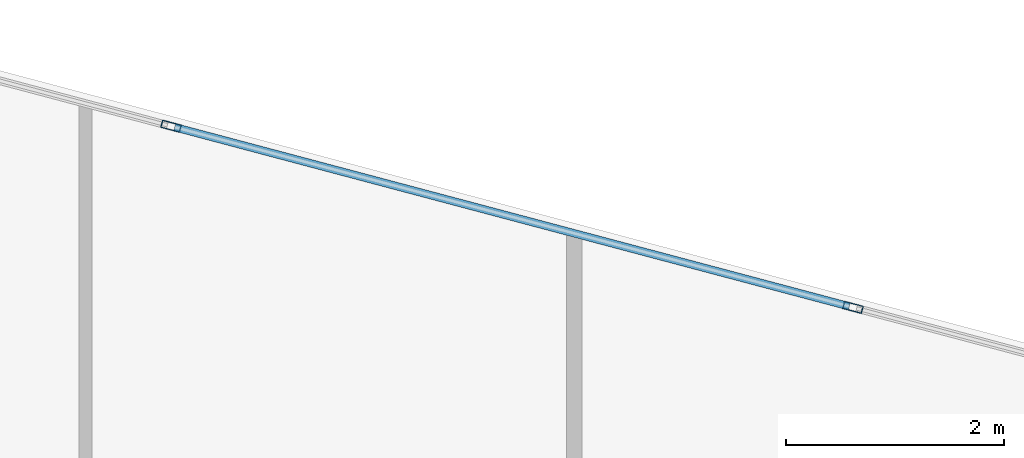
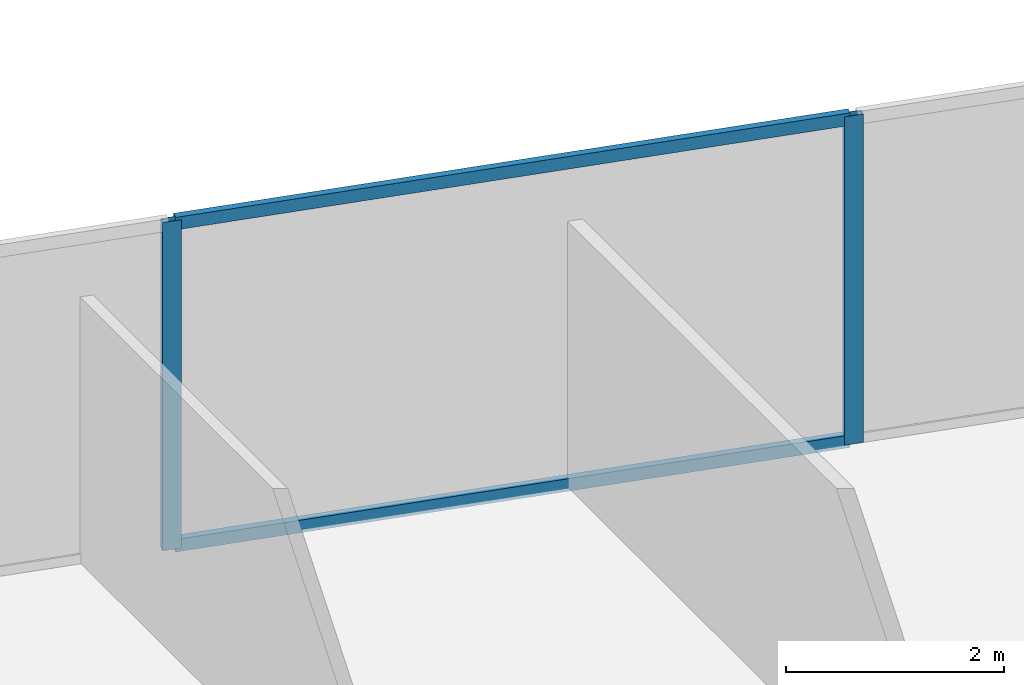
# One storey, part 21 of 27: 4 members, 1 element without a shape of its own.
"""IFC4 building model written with IfcOpenShell, lengths in metres."""

from ifc_helpers import new_model, si_unit, direction, frame, origin, origin_2d, place, context, subcontext, project, spatial, hollow_rectangle, extrude, source, transform, mapped, material, material_profile, profile_set, type_object, type_shapes, element, aggregate, save


model = new_model("IFC4")

# Units and contexts
model_context = context("Model", 3, precision=1e-05, world=origin(), true_north=direction((0.0, 1.0)))
body_context = subcontext(model_context, "Body", "Model", "MODEL_VIEW")
ifc_project = project(units=[si_unit("LENGTHUNIT", "METRE"), si_unit("AREAUNIT", "SQUARE_METRE"), si_unit("VOLUMEUNIT", "CUBIC_METRE"), si_unit("PLANEANGLEUNIT", "RADIAN"), si_unit("MASSUNIT", "GRAM", prefix="KILO")], contexts=[model_context])

# Site, building, storey
site_placement = place(None, origin())
site = spatial("IfcSite", under=ifc_project, at=site_placement, CompositionType="ELEMENT")
building_placement = place(site_placement, origin())
building = spatial("IfcBuilding", under=site, at=building_placement, Name="Krantzveldt Concourse Tower", CompositionType="ELEMENT")
storey_placement = place(building_placement, frame((0.0, 0.0, 97.949951171875)))
storey = spatial("IfcBuildingStorey", under=building, at=storey_placement, Name="L23", CompositionType="ELEMENT", Elevation=97.949951171875)

# Curtain wall, members
ifc_material = material(Name="Anodised aluminium 6063-T6", Category="aluminium")
curtain_wall_type = type_object("IfcCurtainWallType", Name="CW2", PredefinedType="USERDEFINED", material=ifc_material)
curtain_wall_placement = place(storey_placement, origin())
curtain_wall = element("IfcCurtainWall", 1, at=curtain_wall_placement, inside=storey, type_object=curtain_wall_type, Name="CW-L23-F14", ObjectType="UNITISED CURTAIN WALL", PredefinedType="USERDEFINED")
ifc_material_profile_1 = material_profile(ifc_material, hollow_rectangle(XDim=0.070068359375, YDim=0.179931640625, WallThickness=0.0048828125, at=origin_2d()), Name="Anodised aluminium 6063-T6", Category="aluminium")
ifc_profile_set_1 = profile_set([ifc_material_profile_1], Name="Anodised aluminium 6063-T6 - ALU-MULL 180x70x5")
member_type_1 = type_object("IfcMemberType", Name="CW-MUL-180", PredefinedType="MULLION", material=ifc_profile_set_1)
shared_shape_1 = source(origin(), body_context, "Body", "SweptSolid", [
    extrude(hollow_rectangle(XDim=0.070068359375, YDim=0.179931640625, WallThickness=0.0048828125, at=origin_2d()), origin(), (0.0, 0.0, 1.0), 3.670166015625),
])
type_shapes(member_type_1, [shared_shape_1])
member_1_placement = place(storey_placement, frame((48.23388671875, 47.56884765625, 0.0), z_axis=(0.0, 0.0, 1.0), x_axis=(-0.256711093648, -0.966488186373, 0.0)))
member_1 = element("IfcMember", 2, at=member_1_placement, type_object=member_type_1, Name="CW-Z12 mullion 3", PredefinedType="MULLION", context=body_context, shape_type="MappedRepresentation", body=[
    mapped(shared_shape_1, transform((0.0, 0.0, 0.0), x_axis=(1.0, 0.0, 0.0), y_axis=(0.0, 1.0, 0.0), z_axis=(0.0, 0.0, 1.0), scale=1.0)),
])
member_2_placement = place(storey_placement, frame((41.98388671875, 49.228759765625, 0.0), z_axis=(0.0, 0.0, 1.0), x_axis=(-0.256711093648, -0.966488186373, 0.0)))
member_2 = element("IfcMember", 3, at=member_2_placement, type_object=member_type_1, Name="CW-Z12 mullion 4", PredefinedType="MULLION", context=body_context, shape_type="MappedRepresentation", body=[
    mapped(shared_shape_1, transform((0.0, 0.0, 0.0), x_axis=(1.0, 0.0, 0.0), y_axis=(0.0, 1.0, 0.0), z_axis=(0.0, 0.0, 1.0), scale=1.0)),
])
ifc_material_profile_2 = material_profile(ifc_material, hollow_rectangle(XDim=0.070068359375, YDim=0.139892578125, WallThickness=0.0048828125, at=origin_2d()), Name="Anodised aluminium 6063-T6", Category="aluminium")
ifc_profile_set_2 = profile_set([ifc_material_profile_2], Name="Anodised aluminium 6063-T6 - ALU-TRAN 140x70x5")
member_type_2 = type_object("IfcMemberType", Name="CW-TRN-150", PredefinedType="USERDEFINED", material=ifc_profile_set_2)
shared_shape_2 = source(origin(), body_context, "Body", "SweptSolid", [
    extrude(hollow_rectangle(XDim=0.070068359375, YDim=0.139892578125, WallThickness=0.0048828125, at=origin_2d()), origin(), (0.0, 0.0, 1.0), 6.396484375),
])
type_shapes(member_type_2, [shared_shape_2])
member_3_placement = place(storey_placement, frame((48.199951171875, 47.577880859375, 0.03515625), z_axis=(-0.966486606622, 0.256717041156, 0.0), x_axis=(-0.256717041156, -0.966486606622, 0.0)))
member_3 = element("IfcMember", 4, at=member_3_placement, type_object=member_type_2, Name="CW-Z12 transom 3.1", ObjectType="TRANSOM", PredefinedType="USERDEFINED", context=body_context, shape_type="MappedRepresentation", body=[
    mapped(shared_shape_2, transform((0.0, 0.0, 0.0), x_axis=(1.0, 0.0, 0.0), y_axis=(0.0, 1.0, 0.0), z_axis=(0.0, 0.0, 1.0), scale=1.0)),
])
member_4_placement = place(storey_placement, frame((48.199951171875, 47.577880859375, 3.635009765625), z_axis=(-0.966486606622, 0.256717041156, 0.0), x_axis=(-0.256717041156, -0.966486606622, 0.0)))
member_4 = element("IfcMember", 5, at=member_4_placement, type_object=member_type_2, Name="CW-Z12 transom 3.2", ObjectType="TRANSOM", PredefinedType="USERDEFINED", context=body_context, shape_type="MappedRepresentation", body=[
    mapped(shared_shape_2, transform((0.0, 0.0, 0.0), x_axis=(1.0, 0.0, 0.0), y_axis=(0.0, 1.0, 0.0), z_axis=(0.0, 0.0, 1.0), scale=1.0)),
])
aggregate(curtain_wall, [member_1, member_2, member_3, member_4])

save(model, "model.ifc")
